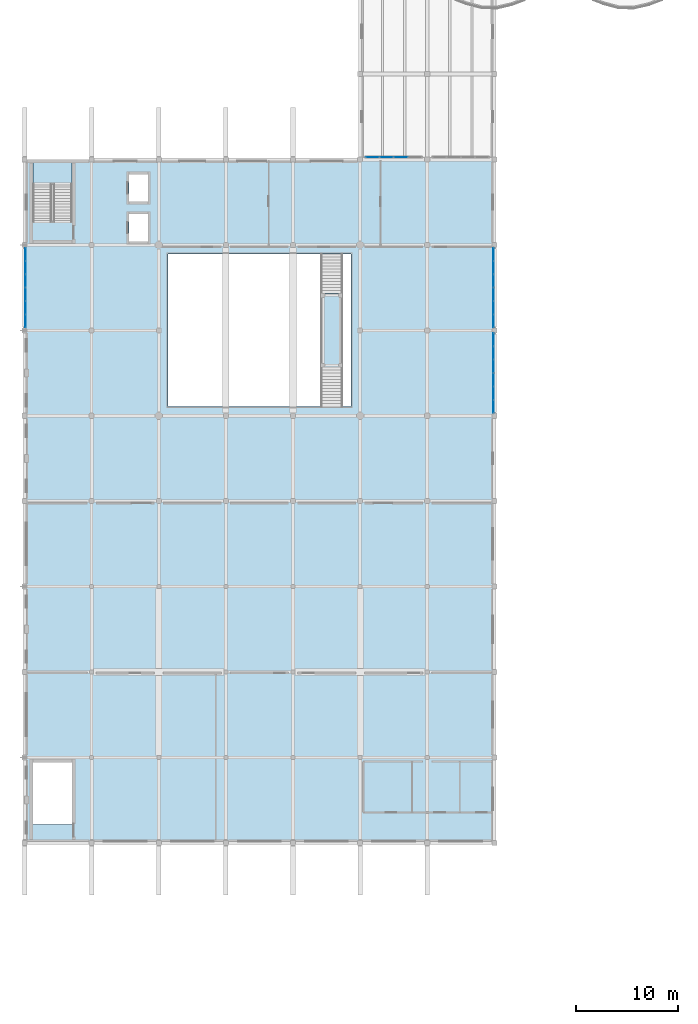
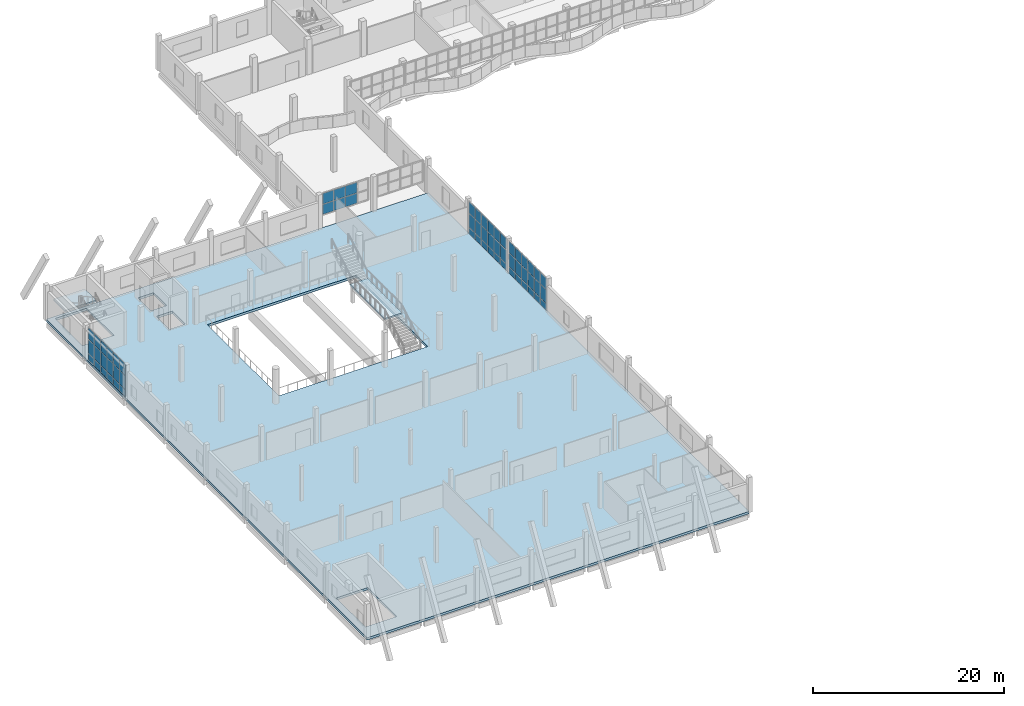
# One storey, part 32 of 76: 60 plates, 3 slabs, 6 elements without a shape of their own.
"""IFC4 building model written with IfcOpenShell, lengths in metres."""

from ifc_helpers import new_model, si_unit, direction, frame, origin, origin_2d, place, context, subcontext, project, spatial, polyline, rectangle, outline, extrude, material, layer, layer_set, type_object, element, aggregate, save


model = new_model("IFC4")

# Units and contexts
model_context = context("Model", 3, precision=1e-05, world=origin(), true_north=direction((0.0, 1.0)))
body_context = subcontext(model_context, "Body", "Model", "MODEL_VIEW")
ifc_project = project(units=[si_unit("LENGTHUNIT", "METRE"), si_unit("AREAUNIT", "SQUARE_METRE"), si_unit("VOLUMEUNIT", "CUBIC_METRE"), si_unit("PLANEANGLEUNIT", "RADIAN"), si_unit("MASSUNIT", "GRAM", prefix="KILO")], contexts=[model_context])

# Site, building, storey
site_placement = place(None, origin())
site = spatial("IfcSite", under=ifc_project, at=site_placement, CompositionType="ELEMENT")
building_placement = place(site_placement, origin())
building = spatial("IfcBuilding", under=site, at=building_placement, Name="Qaldarim Faculty of Natural and Applied Sciences", CompositionType="ELEMENT")
storey_placement = place(building_placement, frame((0.0, 0.0, 9.89990234375)))
storey = spatial("IfcBuildingStorey", under=building, at=storey_placement, Name="L02", CompositionType="ELEMENT", Elevation=9.89990234375)

# Slab
ifc_material_1 = material(Name="Concrete C40/50", Category="concrete")
ifc_layer_1 = layer(ifc_material_1, 0.300048828125)
ifc_layer_set_1 = layer_set([ifc_layer_1], Name="Concrete C40/50")
slab_type_1 = type_object("IfcSlabType", Name="PodiumFloorSlab-300", PredefinedType="FLOOR", material=ifc_layer_set_1)
slab_1_placement = place(storey_placement, frame((0.0, 0.0, -0.2998046875)))
element("IfcSlab", 1, at=slab_1_placement, inside=storey, type_object=slab_type_1, Name="Floor slab L02 WEST", PredefinedType="FLOOR", context=body_context, shape_type="SweptSolid", body=[
    extrude(outline(polyline([(0.0, 16.800048828125), (0.0, 84.0), (46.199951171875, 84.0), (46.199951171875, 16.800048828125), (0.0, 16.800048828125)]), holes=[polyline([(4.64990234375, 18.614990234375), (4.64990234375, 24.72509765625), (0.85009765625, 24.72509765625), (0.85009765625, 18.614990234375), (4.64990234375, 18.614990234375)]), polyline([(4.64990234375, 77.9150390625), (4.64990234375, 83.6201171875), (0.85009765625, 83.6201171875), (0.85009765625, 77.9150390625), (4.64990234375, 77.9150390625)]), polyline([(10.25, 75.949951171875), (12.14990234375, 75.949951171875), (12.14990234375, 78.64990234375), (10.25, 78.64990234375), (10.25, 75.949951171875)]), polyline([(10.25, 79.85009765625), (12.14990234375, 79.85009765625), (12.14990234375, 82.550048828125), (10.25, 82.550048828125), (10.25, 79.85009765625)]), polyline([(14.10009765625, 59.699951171875), (32.10009765625, 59.699951171875), (32.10009765625, 74.699951171875), (14.10009765625, 74.699951171875), (14.10009765625, 59.699951171875)])]), origin(), (0.0, 0.0, 1.0), 0.2998046875),
])

# Stair, slab
stair_type_1 = type_object("IfcStairType", Name="DoglegStair-W1800-H4500-28R", PredefinedType="HALF_TURN_STAIR", material=ifc_material_1)
stair_1_placement = place(storey_placement, origin())
stair_1 = element("IfcStair", 2, at=stair_1_placement, inside=storey, type_object=stair_type_1, Name="Enclosed exit stair ST-D2 L02", PredefinedType="HALF_TURN_STAIR")
ifc_layer_2 = layer(ifc_material_1, 0.2099609375)
ifc_layer_set_2 = layer_set([ifc_layer_2], Name="Concrete C40/50")
slab_type_2 = type_object("IfcSlabType", Name="StairLandingSlab-210", PredefinedType="LANDING", material=ifc_layer_set_2)
slab_2_placement = place(storey_placement, frame((0.0, 0.0, 2.0400390625)))
slab_2 = element("IfcSlab", 3, at=slab_2_placement, type_object=slab_type_2, Name="ST-D2 L02 half-landing 1", PredefinedType="LANDING", context=body_context, shape_type="SweptSolid", body=[
    extrude(outline(polyline([(4.64990234375, 81.590087890625), (4.64990234375, 84.0), (0.85009765625, 84.0), (0.85009765625, 81.590087890625), (4.64990234375, 81.590087890625)])), origin(), (0.0, 0.0, 1.0), 0.2099609375),
])
aggregate(stair_1, [slab_2])

stair_type_2 = type_object("IfcStairType", Name="FeatureStraightStair-W2100-H4500", PredefinedType="STRAIGHT_RUN_STAIR", material=ifc_material_1)
stair_2_placement = place(storey_placement, origin())
stair_2 = element("IfcStair", 4, at=stair_2_placement, inside=storey, type_object=stair_type_2, Name="Atrium monumental stair L02", PredefinedType="STRAIGHT_RUN_STAIR")
slab_3_placement = place(storey_placement, frame((0.0, 0.0, 2.0400390625)))
slab_3 = element("IfcSlab", 5, at=slab_3_placement, type_object=slab_type_2, Name="Atrium monumental stair L02 intermediate landing", PredefinedType="LANDING", context=body_context, shape_type="SweptSolid", body=[
    extrude(outline(polyline([(29.14990234375, 63.570068359375), (31.25, 63.570068359375), (31.25, 70.830078125), (29.14990234375, 70.830078125), (29.14990234375, 63.570068359375)])), origin(), (0.0, 0.0, 1.0), 0.2099609375),
])
aggregate(stair_2, [slab_3])

# Curtain wall, plates
ifc_material_2 = material(Name="Anodised aluminium AW-6063", Category="aluminium")
curtain_wall_type_1 = type_object("IfcCurtainWallType", Name="CurtainWallSystem-M1300", PredefinedType="USERDEFINED", material=ifc_material_2)
curtain_wall_1_placement = place(storey_placement, origin())
curtain_wall_1 = element("IfcCurtainWall", 6, at=curtain_wall_1_placement, inside=storey, type_object=curtain_wall_type_1, Name="Curtain wall CW-L02-W-X01Y09", ObjectType="STICK CURTAIN WALL", PredefinedType="USERDEFINED")
ifc_material_3 = material(Name="Insulated low-e double glazing", Category="glass")
ifc_layer_3 = layer(ifc_material_3, 0.028076171875)
ifc_layer_set_3 = layer_set([ifc_layer_3], Name="Insulated low-e double glazing")
plate_type = type_object("IfcPlateType", Name="VisionGlazingPanel-28", PredefinedType="CURTAIN_PANEL", material=ifc_layer_set_3)
plate_1_placement = place(storey_placement, frame((0.080078125, 74.680908203125, 0.06005859375), z_axis=(0.0, 0.0, 1.0), x_axis=(0.0, -1.0, 0.0)))
plate_1 = element("IfcPlate", 7, at=plate_1_placement, type_object=plate_type, Name="Glazed panel 1-1 of CW-L02-W-X01Y09", PredefinedType="CURTAIN_PANEL", context=body_context, shape_type="SweptSolid", body=[
    extrude(rectangle(XDim=1.228271484375, YDim=0.028076171875, at=origin_2d()), origin(), (0.0, 0.0, 1.0), 0.81005859375),
])
plate_2_placement = place(storey_placement, frame((0.080078125, 74.680908203125, 0.93017578125), z_axis=(0.0, 0.0, 1.0), x_axis=(0.0, -1.0, 0.0)))
plate_2 = element("IfcPlate", 8, at=plate_2_placement, type_object=plate_type, Name="Glazed panel 1-2 of CW-L02-W-X01Y09", PredefinedType="CURTAIN_PANEL", context=body_context, shape_type="SweptSolid", body=[
    extrude(rectangle(XDim=1.228271484375, YDim=0.028076171875, at=origin_2d()), origin(), (0.0, 0.0, 1.0), 1.739990234375),
])
plate_3_placement = place(storey_placement, frame((0.080078125, 74.680908203125, 2.72998046875), z_axis=(0.0, 0.0, 1.0), x_axis=(0.0, -1.0, 0.0)))
plate_3 = element("IfcPlate", 9, at=plate_3_placement, type_object=plate_type, Name="Glazed panel 1-3 of CW-L02-W-X01Y09", PredefinedType="CURTAIN_PANEL", context=body_context, shape_type="SweptSolid", body=[
    extrude(rectangle(XDim=1.228271484375, YDim=0.028076171875, at=origin_2d()), origin(), (0.0, 0.0, 1.0), 1.449951171875),
])
plate_4_placement = place(storey_placement, frame((0.080078125, 73.37744140625, 0.06005859375), z_axis=(0.0, 0.0, 1.0), x_axis=(0.0, -1.0, 0.0)))
plate_4 = element("IfcPlate", 10, at=plate_4_placement, type_object=plate_type, Name="Glazed panel 2-1 of CW-L02-W-X01Y09", PredefinedType="CURTAIN_PANEL", context=body_context, shape_type="SweptSolid", body=[
    extrude(rectangle(XDim=1.25830078125, YDim=0.028076171875, at=origin_2d()), origin(), (0.0, 0.0, 1.0), 0.81005859375),
])
plate_5_placement = place(storey_placement, frame((0.080078125, 73.37744140625, 0.93017578125), z_axis=(0.0, 0.0, 1.0), x_axis=(0.0, -1.0, 0.0)))
plate_5 = element("IfcPlate", 11, at=plate_5_placement, type_object=plate_type, Name="Glazed panel 2-2 of CW-L02-W-X01Y09", PredefinedType="CURTAIN_PANEL", context=body_context, shape_type="SweptSolid", body=[
    extrude(rectangle(XDim=1.25830078125, YDim=0.028076171875, at=origin_2d()), origin(), (0.0, 0.0, 1.0), 1.739990234375),
])
plate_6_placement = place(storey_placement, frame((0.080078125, 73.37744140625, 2.72998046875), z_axis=(0.0, 0.0, 1.0), x_axis=(0.0, -1.0, 0.0)))
plate_6 = element("IfcPlate", 12, at=plate_6_placement, type_object=plate_type, Name="Glazed panel 2-3 of CW-L02-W-X01Y09", PredefinedType="CURTAIN_PANEL", context=body_context, shape_type="SweptSolid", body=[
    extrude(rectangle(XDim=1.25830078125, YDim=0.028076171875, at=origin_2d()), origin(), (0.0, 0.0, 1.0), 1.449951171875),
])
plate_7_placement = place(storey_placement, frame((0.080078125, 72.05908203125, 0.06005859375), z_axis=(0.0, 0.0, 1.0), x_axis=(0.0, -1.0, 0.0)))
plate_7 = element("IfcPlate", 13, at=plate_7_placement, type_object=plate_type, Name="Glazed panel 3-1 of CW-L02-W-X01Y09", PredefinedType="CURTAIN_PANEL", context=body_context, shape_type="SweptSolid", body=[
    extrude(rectangle(XDim=1.25830078125, YDim=0.028076171875, at=origin_2d()), origin(), (0.0, 0.0, 1.0), 0.81005859375),
])
plate_8_placement = place(storey_placement, frame((0.080078125, 72.05908203125, 0.93017578125), z_axis=(0.0, 0.0, 1.0), x_axis=(0.0, -1.0, 0.0)))
plate_8 = element("IfcPlate", 14, at=plate_8_placement, type_object=plate_type, Name="Glazed panel 3-2 of CW-L02-W-X01Y09", PredefinedType="CURTAIN_PANEL", context=body_context, shape_type="SweptSolid", body=[
    extrude(rectangle(XDim=1.25830078125, YDim=0.028076171875, at=origin_2d()), origin(), (0.0, 0.0, 1.0), 1.739990234375),
])
plate_9_placement = place(storey_placement, frame((0.080078125, 72.05908203125, 2.72998046875), z_axis=(0.0, 0.0, 1.0), x_axis=(0.0, -1.0, 0.0)))
plate_9 = element("IfcPlate", 15, at=plate_9_placement, type_object=plate_type, Name="Glazed panel 3-3 of CW-L02-W-X01Y09", PredefinedType="CURTAIN_PANEL", context=body_context, shape_type="SweptSolid", body=[
    extrude(rectangle(XDim=1.25830078125, YDim=0.028076171875, at=origin_2d()), origin(), (0.0, 0.0, 1.0), 1.449951171875),
])
plate_10_placement = place(storey_placement, frame((0.080078125, 70.74072265625, 0.06005859375), z_axis=(0.0, 0.0, 1.0), x_axis=(0.0, -1.0, 0.0)))
plate_10 = element("IfcPlate", 16, at=plate_10_placement, type_object=plate_type, Name="Glazed panel 4-1 of CW-L02-W-X01Y09", PredefinedType="CURTAIN_PANEL", context=body_context, shape_type="SweptSolid", body=[
    extrude(rectangle(XDim=1.25830078125, YDim=0.028076171875, at=origin_2d()), origin(), (0.0, 0.0, 1.0), 0.81005859375),
])
plate_11_placement = place(storey_placement, frame((0.080078125, 70.74072265625, 0.93017578125), z_axis=(0.0, 0.0, 1.0), x_axis=(0.0, -1.0, 0.0)))
plate_11 = element("IfcPlate", 17, at=plate_11_placement, type_object=plate_type, Name="Glazed panel 4-2 of CW-L02-W-X01Y09", PredefinedType="CURTAIN_PANEL", context=body_context, shape_type="SweptSolid", body=[
    extrude(rectangle(XDim=1.25830078125, YDim=0.028076171875, at=origin_2d()), origin(), (0.0, 0.0, 1.0), 1.739990234375),
])
plate_12_placement = place(storey_placement, frame((0.080078125, 70.74072265625, 2.72998046875), z_axis=(0.0, 0.0, 1.0), x_axis=(0.0, -1.0, 0.0)))
plate_12 = element("IfcPlate", 18, at=plate_12_placement, type_object=plate_type, Name="Glazed panel 4-3 of CW-L02-W-X01Y09", PredefinedType="CURTAIN_PANEL", context=body_context, shape_type="SweptSolid", body=[
    extrude(rectangle(XDim=1.25830078125, YDim=0.028076171875, at=origin_2d()), origin(), (0.0, 0.0, 1.0), 1.449951171875),
])
plate_13_placement = place(storey_placement, frame((0.080078125, 69.422607421875, 0.06005859375), z_axis=(0.0, 0.0, 1.0), x_axis=(0.0, -1.0, 0.0)))
plate_13 = element("IfcPlate", 19, at=plate_13_placement, type_object=plate_type, Name="Glazed panel 5-1 of CW-L02-W-X01Y09", PredefinedType="CURTAIN_PANEL", context=body_context, shape_type="SweptSolid", body=[
    extrude(rectangle(XDim=1.25830078125, YDim=0.028076171875, at=origin_2d()), origin(), (0.0, 0.0, 1.0), 0.81005859375),
])
plate_14_placement = place(storey_placement, frame((0.080078125, 69.422607421875, 0.93017578125), z_axis=(0.0, 0.0, 1.0), x_axis=(0.0, -1.0, 0.0)))
plate_14 = element("IfcPlate", 20, at=plate_14_placement, type_object=plate_type, Name="Glazed panel 5-2 of CW-L02-W-X01Y09", PredefinedType="CURTAIN_PANEL", context=body_context, shape_type="SweptSolid", body=[
    extrude(rectangle(XDim=1.25830078125, YDim=0.028076171875, at=origin_2d()), origin(), (0.0, 0.0, 1.0), 1.739990234375),
])
plate_15_placement = place(storey_placement, frame((0.080078125, 69.422607421875, 2.72998046875), z_axis=(0.0, 0.0, 1.0), x_axis=(0.0, -1.0, 0.0)))
plate_15 = element("IfcPlate", 21, at=plate_15_placement, type_object=plate_type, Name="Glazed panel 5-3 of CW-L02-W-X01Y09", PredefinedType="CURTAIN_PANEL", context=body_context, shape_type="SweptSolid", body=[
    extrude(rectangle(XDim=1.25830078125, YDim=0.028076171875, at=origin_2d()), origin(), (0.0, 0.0, 1.0), 1.449951171875),
])
plate_16_placement = place(storey_placement, frame((0.080078125, 68.119140625, 0.06005859375), z_axis=(0.0, 0.0, 1.0), x_axis=(0.0, -1.0, 0.0)))
plate_16 = element("IfcPlate", 22, at=plate_16_placement, type_object=plate_type, Name="Glazed panel 6-1 of CW-L02-W-X01Y09", PredefinedType="CURTAIN_PANEL", context=body_context, shape_type="SweptSolid", body=[
    extrude(rectangle(XDim=1.228271484375, YDim=0.028076171875, at=origin_2d()), origin(), (0.0, 0.0, 1.0), 0.81005859375),
])
plate_17_placement = place(storey_placement, frame((0.080078125, 68.119140625, 0.93017578125), z_axis=(0.0, 0.0, 1.0), x_axis=(0.0, -1.0, 0.0)))
plate_17 = element("IfcPlate", 23, at=plate_17_placement, type_object=plate_type, Name="Glazed panel 6-2 of CW-L02-W-X01Y09", PredefinedType="CURTAIN_PANEL", context=body_context, shape_type="SweptSolid", body=[
    extrude(rectangle(XDim=1.228271484375, YDim=0.028076171875, at=origin_2d()), origin(), (0.0, 0.0, 1.0), 1.739990234375),
])
plate_18_placement = place(storey_placement, frame((0.080078125, 68.119140625, 2.72998046875), z_axis=(0.0, 0.0, 1.0), x_axis=(0.0, -1.0, 0.0)))
plate_18 = element("IfcPlate", 24, at=plate_18_placement, type_object=plate_type, Name="Glazed panel 6-3 of CW-L02-W-X01Y09", PredefinedType="CURTAIN_PANEL", context=body_context, shape_type="SweptSolid", body=[
    extrude(rectangle(XDim=1.228271484375, YDim=0.028076171875, at=origin_2d()), origin(), (0.0, 0.0, 1.0), 1.449951171875),
])
aggregate(curtain_wall_1, [plate_1, plate_2, plate_3, plate_4, plate_5, plate_6, plate_7, plate_8, plate_9, plate_10, plate_11, plate_12, plate_13, plate_14, plate_15, plate_16, plate_17, plate_18])

curtain_wall_2_placement = place(storey_placement, origin())
curtain_wall_2 = element("IfcCurtainWall", 25, at=curtain_wall_2_placement, inside=storey, type_object=curtain_wall_type_1, Name="Curtain wall CW-L02-E-X07Y08", ObjectType="STICK CURTAIN WALL", PredefinedType="USERDEFINED")
plate_19_placement = place(storey_placement, frame((46.1201171875, 59.71923828125, 0.06005859375), z_axis=(0.0, 0.0, 1.0), x_axis=(0.0, 1.0, 0.0)))
plate_19 = element("IfcPlate", 26, at=plate_19_placement, type_object=plate_type, Name="Glazed panel 1-1 of CW-L02-E-X07Y08", PredefinedType="CURTAIN_PANEL", context=body_context, shape_type="SweptSolid", body=[
    extrude(rectangle(XDim=1.228271484375, YDim=0.028076171875, at=origin_2d()), origin(), (0.0, 0.0, 1.0), 0.81005859375),
])
plate_20_placement = place(storey_placement, frame((46.1201171875, 59.71923828125, 0.93017578125), z_axis=(0.0, 0.0, 1.0), x_axis=(0.0, 1.0, 0.0)))
plate_20 = element("IfcPlate", 27, at=plate_20_placement, type_object=plate_type, Name="Glazed panel 1-2 of CW-L02-E-X07Y08", PredefinedType="CURTAIN_PANEL", context=body_context, shape_type="SweptSolid", body=[
    extrude(rectangle(XDim=1.228271484375, YDim=0.028076171875, at=origin_2d()), origin(), (0.0, 0.0, 1.0), 1.739990234375),
])
plate_21_placement = place(storey_placement, frame((46.1201171875, 59.71923828125, 2.72998046875), z_axis=(0.0, 0.0, 1.0), x_axis=(0.0, 1.0, 0.0)))
plate_21 = element("IfcPlate", 28, at=plate_21_placement, type_object=plate_type, Name="Glazed panel 1-3 of CW-L02-E-X07Y08", PredefinedType="CURTAIN_PANEL", context=body_context, shape_type="SweptSolid", body=[
    extrude(rectangle(XDim=1.228271484375, YDim=0.028076171875, at=origin_2d()), origin(), (0.0, 0.0, 1.0), 1.449951171875),
])
plate_22_placement = place(storey_placement, frame((46.1201171875, 61.0224609375, 0.06005859375), z_axis=(0.0, 0.0, 1.0), x_axis=(0.0, 1.0, 0.0)))
plate_22 = element("IfcPlate", 29, at=plate_22_placement, type_object=plate_type, Name="Glazed panel 2-1 of CW-L02-E-X07Y08", PredefinedType="CURTAIN_PANEL", context=body_context, shape_type="SweptSolid", body=[
    extrude(rectangle(XDim=1.25830078125, YDim=0.028076171875, at=origin_2d()), origin(), (0.0, 0.0, 1.0), 0.81005859375),
])
plate_23_placement = place(storey_placement, frame((46.1201171875, 61.0224609375, 0.93017578125), z_axis=(0.0, 0.0, 1.0), x_axis=(0.0, 1.0, 0.0)))
plate_23 = element("IfcPlate", 30, at=plate_23_placement, type_object=plate_type, Name="Glazed panel 2-2 of CW-L02-E-X07Y08", PredefinedType="CURTAIN_PANEL", context=body_context, shape_type="SweptSolid", body=[
    extrude(rectangle(XDim=1.25830078125, YDim=0.028076171875, at=origin_2d()), origin(), (0.0, 0.0, 1.0), 1.739990234375),
])
plate_24_placement = place(storey_placement, frame((46.1201171875, 61.0224609375, 2.72998046875), z_axis=(0.0, 0.0, 1.0), x_axis=(0.0, 1.0, 0.0)))
plate_24 = element("IfcPlate", 31, at=plate_24_placement, type_object=plate_type, Name="Glazed panel 2-3 of CW-L02-E-X07Y08", PredefinedType="CURTAIN_PANEL", context=body_context, shape_type="SweptSolid", body=[
    extrude(rectangle(XDim=1.25830078125, YDim=0.028076171875, at=origin_2d()), origin(), (0.0, 0.0, 1.0), 1.449951171875),
])
plate_25_placement = place(storey_placement, frame((46.1201171875, 62.3408203125, 0.06005859375), z_axis=(0.0, 0.0, 1.0), x_axis=(0.0, 1.0, 0.0)))
plate_25 = element("IfcPlate", 32, at=plate_25_placement, type_object=plate_type, Name="Glazed panel 3-1 of CW-L02-E-X07Y08", PredefinedType="CURTAIN_PANEL", context=body_context, shape_type="SweptSolid", body=[
    extrude(rectangle(XDim=1.25830078125, YDim=0.028076171875, at=origin_2d()), origin(), (0.0, 0.0, 1.0), 0.81005859375),
])
plate_26_placement = place(storey_placement, frame((46.1201171875, 62.3408203125, 0.93017578125), z_axis=(0.0, 0.0, 1.0), x_axis=(0.0, 1.0, 0.0)))
plate_26 = element("IfcPlate", 33, at=plate_26_placement, type_object=plate_type, Name="Glazed panel 3-2 of CW-L02-E-X07Y08", PredefinedType="CURTAIN_PANEL", context=body_context, shape_type="SweptSolid", body=[
    extrude(rectangle(XDim=1.25830078125, YDim=0.028076171875, at=origin_2d()), origin(), (0.0, 0.0, 1.0), 1.739990234375),
])
plate_27_placement = place(storey_placement, frame((46.1201171875, 62.3408203125, 2.72998046875), z_axis=(0.0, 0.0, 1.0), x_axis=(0.0, 1.0, 0.0)))
plate_27 = element("IfcPlate", 34, at=plate_27_placement, type_object=plate_type, Name="Glazed panel 3-3 of CW-L02-E-X07Y08", PredefinedType="CURTAIN_PANEL", context=body_context, shape_type="SweptSolid", body=[
    extrude(rectangle(XDim=1.25830078125, YDim=0.028076171875, at=origin_2d()), origin(), (0.0, 0.0, 1.0), 1.449951171875),
])
plate_28_placement = place(storey_placement, frame((46.1201171875, 63.6591796875, 0.06005859375), z_axis=(0.0, 0.0, 1.0), x_axis=(0.0, 1.0, 0.0)))
plate_28 = element("IfcPlate", 35, at=plate_28_placement, type_object=plate_type, Name="Glazed panel 4-1 of CW-L02-E-X07Y08", PredefinedType="CURTAIN_PANEL", context=body_context, shape_type="SweptSolid", body=[
    extrude(rectangle(XDim=1.25830078125, YDim=0.028076171875, at=origin_2d()), origin(), (0.0, 0.0, 1.0), 0.81005859375),
])
plate_29_placement = place(storey_placement, frame((46.1201171875, 63.6591796875, 0.93017578125), z_axis=(0.0, 0.0, 1.0), x_axis=(0.0, 1.0, 0.0)))
plate_29 = element("IfcPlate", 36, at=plate_29_placement, type_object=plate_type, Name="Glazed panel 4-2 of CW-L02-E-X07Y08", PredefinedType="CURTAIN_PANEL", context=body_context, shape_type="SweptSolid", body=[
    extrude(rectangle(XDim=1.25830078125, YDim=0.028076171875, at=origin_2d()), origin(), (0.0, 0.0, 1.0), 1.739990234375),
])
plate_30_placement = place(storey_placement, frame((46.1201171875, 63.6591796875, 2.72998046875), z_axis=(0.0, 0.0, 1.0), x_axis=(0.0, 1.0, 0.0)))
plate_30 = element("IfcPlate", 37, at=plate_30_placement, type_object=plate_type, Name="Glazed panel 4-3 of CW-L02-E-X07Y08", PredefinedType="CURTAIN_PANEL", context=body_context, shape_type="SweptSolid", body=[
    extrude(rectangle(XDim=1.25830078125, YDim=0.028076171875, at=origin_2d()), origin(), (0.0, 0.0, 1.0), 1.449951171875),
])
plate_31_placement = place(storey_placement, frame((46.1201171875, 64.9775390625, 0.06005859375), z_axis=(0.0, 0.0, 1.0), x_axis=(0.0, 1.0, 0.0)))
plate_31 = element("IfcPlate", 38, at=plate_31_placement, type_object=plate_type, Name="Glazed panel 5-1 of CW-L02-E-X07Y08", PredefinedType="CURTAIN_PANEL", context=body_context, shape_type="SweptSolid", body=[
    extrude(rectangle(XDim=1.25830078125, YDim=0.028076171875, at=origin_2d()), origin(), (0.0, 0.0, 1.0), 0.81005859375),
])
plate_32_placement = place(storey_placement, frame((46.1201171875, 64.9775390625, 0.93017578125), z_axis=(0.0, 0.0, 1.0), x_axis=(0.0, 1.0, 0.0)))
plate_32 = element("IfcPlate", 39, at=plate_32_placement, type_object=plate_type, Name="Glazed panel 5-2 of CW-L02-E-X07Y08", PredefinedType="CURTAIN_PANEL", context=body_context, shape_type="SweptSolid", body=[
    extrude(rectangle(XDim=1.25830078125, YDim=0.028076171875, at=origin_2d()), origin(), (0.0, 0.0, 1.0), 1.739990234375),
])
plate_33_placement = place(storey_placement, frame((46.1201171875, 64.9775390625, 2.72998046875), z_axis=(0.0, 0.0, 1.0), x_axis=(0.0, 1.0, 0.0)))
plate_33 = element("IfcPlate", 40, at=plate_33_placement, type_object=plate_type, Name="Glazed panel 5-3 of CW-L02-E-X07Y08", PredefinedType="CURTAIN_PANEL", context=body_context, shape_type="SweptSolid", body=[
    extrude(rectangle(XDim=1.25830078125, YDim=0.028076171875, at=origin_2d()), origin(), (0.0, 0.0, 1.0), 1.449951171875),
])
plate_34_placement = place(storey_placement, frame((46.1201171875, 66.28076171875, 0.06005859375), z_axis=(0.0, 0.0, 1.0), x_axis=(0.0, 1.0, 0.0)))
plate_34 = element("IfcPlate", 41, at=plate_34_placement, type_object=plate_type, Name="Glazed panel 6-1 of CW-L02-E-X07Y08", PredefinedType="CURTAIN_PANEL", context=body_context, shape_type="SweptSolid", body=[
    extrude(rectangle(XDim=1.228271484375, YDim=0.028076171875, at=origin_2d()), origin(), (0.0, 0.0, 1.0), 0.81005859375),
])
plate_35_placement = place(storey_placement, frame((46.1201171875, 66.28076171875, 0.93017578125), z_axis=(0.0, 0.0, 1.0), x_axis=(0.0, 1.0, 0.0)))
plate_35 = element("IfcPlate", 42, at=plate_35_placement, type_object=plate_type, Name="Glazed panel 6-2 of CW-L02-E-X07Y08", PredefinedType="CURTAIN_PANEL", context=body_context, shape_type="SweptSolid", body=[
    extrude(rectangle(XDim=1.228271484375, YDim=0.028076171875, at=origin_2d()), origin(), (0.0, 0.0, 1.0), 1.739990234375),
])
plate_36_placement = place(storey_placement, frame((46.1201171875, 66.28076171875, 2.72998046875), z_axis=(0.0, 0.0, 1.0), x_axis=(0.0, 1.0, 0.0)))
plate_36 = element("IfcPlate", 43, at=plate_36_placement, type_object=plate_type, Name="Glazed panel 6-3 of CW-L02-E-X07Y08", PredefinedType="CURTAIN_PANEL", context=body_context, shape_type="SweptSolid", body=[
    extrude(rectangle(XDim=1.228271484375, YDim=0.028076171875, at=origin_2d()), origin(), (0.0, 0.0, 1.0), 1.449951171875),
])
aggregate(curtain_wall_2, [plate_19, plate_20, plate_21, plate_22, plate_23, plate_24, plate_25, plate_26, plate_27, plate_28, plate_29, plate_30, plate_31, plate_32, plate_33, plate_34, plate_35, plate_36])

curtain_wall_3_placement = place(storey_placement, origin())
curtain_wall_3 = element("IfcCurtainWall", 44, at=curtain_wall_3_placement, inside=storey, type_object=curtain_wall_type_1, Name="Curtain wall CW-L02-E-X07Y09", ObjectType="STICK CURTAIN WALL", PredefinedType="USERDEFINED")
plate_37_placement = place(storey_placement, frame((46.1201171875, 68.119140625, 0.06005859375), z_axis=(0.0, 0.0, 1.0), x_axis=(0.0, 1.0, 0.0)))
plate_37 = element("IfcPlate", 45, at=plate_37_placement, type_object=plate_type, Name="Glazed panel 1-1 of CW-L02-E-X07Y09", PredefinedType="CURTAIN_PANEL", context=body_context, shape_type="SweptSolid", body=[
    extrude(rectangle(XDim=1.228271484375, YDim=0.028076171875, at=origin_2d()), origin(), (0.0, 0.0, 1.0), 0.81005859375),
])
plate_38_placement = place(storey_placement, frame((46.1201171875, 68.119140625, 0.93017578125), z_axis=(0.0, 0.0, 1.0), x_axis=(0.0, 1.0, 0.0)))
plate_38 = element("IfcPlate", 46, at=plate_38_placement, type_object=plate_type, Name="Glazed panel 1-2 of CW-L02-E-X07Y09", PredefinedType="CURTAIN_PANEL", context=body_context, shape_type="SweptSolid", body=[
    extrude(rectangle(XDim=1.228271484375, YDim=0.028076171875, at=origin_2d()), origin(), (0.0, 0.0, 1.0), 1.739990234375),
])
plate_39_placement = place(storey_placement, frame((46.1201171875, 68.119140625, 2.72998046875), z_axis=(0.0, 0.0, 1.0), x_axis=(0.0, 1.0, 0.0)))
plate_39 = element("IfcPlate", 47, at=plate_39_placement, type_object=plate_type, Name="Glazed panel 1-3 of CW-L02-E-X07Y09", PredefinedType="CURTAIN_PANEL", context=body_context, shape_type="SweptSolid", body=[
    extrude(rectangle(XDim=1.228271484375, YDim=0.028076171875, at=origin_2d()), origin(), (0.0, 0.0, 1.0), 1.449951171875),
])
plate_40_placement = place(storey_placement, frame((46.1201171875, 69.422607421875, 0.06005859375), z_axis=(0.0, 0.0, 1.0), x_axis=(0.0, 1.0, 0.0)))
plate_40 = element("IfcPlate", 48, at=plate_40_placement, type_object=plate_type, Name="Glazed panel 2-1 of CW-L02-E-X07Y09", PredefinedType="CURTAIN_PANEL", context=body_context, shape_type="SweptSolid", body=[
    extrude(rectangle(XDim=1.25830078125, YDim=0.028076171875, at=origin_2d()), origin(), (0.0, 0.0, 1.0), 0.81005859375),
])
plate_41_placement = place(storey_placement, frame((46.1201171875, 69.422607421875, 0.93017578125), z_axis=(0.0, 0.0, 1.0), x_axis=(0.0, 1.0, 0.0)))
plate_41 = element("IfcPlate", 49, at=plate_41_placement, type_object=plate_type, Name="Glazed panel 2-2 of CW-L02-E-X07Y09", PredefinedType="CURTAIN_PANEL", context=body_context, shape_type="SweptSolid", body=[
    extrude(rectangle(XDim=1.25830078125, YDim=0.028076171875, at=origin_2d()), origin(), (0.0, 0.0, 1.0), 1.739990234375),
])
plate_42_placement = place(storey_placement, frame((46.1201171875, 69.422607421875, 2.72998046875), z_axis=(0.0, 0.0, 1.0), x_axis=(0.0, 1.0, 0.0)))
plate_42 = element("IfcPlate", 50, at=plate_42_placement, type_object=plate_type, Name="Glazed panel 2-3 of CW-L02-E-X07Y09", PredefinedType="CURTAIN_PANEL", context=body_context, shape_type="SweptSolid", body=[
    extrude(rectangle(XDim=1.25830078125, YDim=0.028076171875, at=origin_2d()), origin(), (0.0, 0.0, 1.0), 1.449951171875),
])
plate_43_placement = place(storey_placement, frame((46.1201171875, 70.74072265625, 0.06005859375), z_axis=(0.0, 0.0, 1.0), x_axis=(0.0, 1.0, 0.0)))
plate_43 = element("IfcPlate", 51, at=plate_43_placement, type_object=plate_type, Name="Glazed panel 3-1 of CW-L02-E-X07Y09", PredefinedType="CURTAIN_PANEL", context=body_context, shape_type="SweptSolid", body=[
    extrude(rectangle(XDim=1.25830078125, YDim=0.028076171875, at=origin_2d()), origin(), (0.0, 0.0, 1.0), 0.81005859375),
])
plate_44_placement = place(storey_placement, frame((46.1201171875, 70.74072265625, 0.93017578125), z_axis=(0.0, 0.0, 1.0), x_axis=(0.0, 1.0, 0.0)))
plate_44 = element("IfcPlate", 52, at=plate_44_placement, type_object=plate_type, Name="Glazed panel 3-2 of CW-L02-E-X07Y09", PredefinedType="CURTAIN_PANEL", context=body_context, shape_type="SweptSolid", body=[
    extrude(rectangle(XDim=1.25830078125, YDim=0.028076171875, at=origin_2d()), origin(), (0.0, 0.0, 1.0), 1.739990234375),
])
plate_45_placement = place(storey_placement, frame((46.1201171875, 70.74072265625, 2.72998046875), z_axis=(0.0, 0.0, 1.0), x_axis=(0.0, 1.0, 0.0)))
plate_45 = element("IfcPlate", 53, at=plate_45_placement, type_object=plate_type, Name="Glazed panel 3-3 of CW-L02-E-X07Y09", PredefinedType="CURTAIN_PANEL", context=body_context, shape_type="SweptSolid", body=[
    extrude(rectangle(XDim=1.25830078125, YDim=0.028076171875, at=origin_2d()), origin(), (0.0, 0.0, 1.0), 1.449951171875),
])
plate_46_placement = place(storey_placement, frame((46.1201171875, 72.05908203125, 0.06005859375), z_axis=(0.0, 0.0, 1.0), x_axis=(0.0, 1.0, 0.0)))
plate_46 = element("IfcPlate", 54, at=plate_46_placement, type_object=plate_type, Name="Glazed panel 4-1 of CW-L02-E-X07Y09", PredefinedType="CURTAIN_PANEL", context=body_context, shape_type="SweptSolid", body=[
    extrude(rectangle(XDim=1.25830078125, YDim=0.028076171875, at=origin_2d()), origin(), (0.0, 0.0, 1.0), 0.81005859375),
])
plate_47_placement = place(storey_placement, frame((46.1201171875, 72.05908203125, 0.93017578125), z_axis=(0.0, 0.0, 1.0), x_axis=(0.0, 1.0, 0.0)))
plate_47 = element("IfcPlate", 55, at=plate_47_placement, type_object=plate_type, Name="Glazed panel 4-2 of CW-L02-E-X07Y09", PredefinedType="CURTAIN_PANEL", context=body_context, shape_type="SweptSolid", body=[
    extrude(rectangle(XDim=1.25830078125, YDim=0.028076171875, at=origin_2d()), origin(), (0.0, 0.0, 1.0), 1.739990234375),
])
plate_48_placement = place(storey_placement, frame((46.1201171875, 72.05908203125, 2.72998046875), z_axis=(0.0, 0.0, 1.0), x_axis=(0.0, 1.0, 0.0)))
plate_48 = element("IfcPlate", 56, at=plate_48_placement, type_object=plate_type, Name="Glazed panel 4-3 of CW-L02-E-X07Y09", PredefinedType="CURTAIN_PANEL", context=body_context, shape_type="SweptSolid", body=[
    extrude(rectangle(XDim=1.25830078125, YDim=0.028076171875, at=origin_2d()), origin(), (0.0, 0.0, 1.0), 1.449951171875),
])
plate_49_placement = place(storey_placement, frame((46.1201171875, 73.37744140625, 0.06005859375), z_axis=(0.0, 0.0, 1.0), x_axis=(0.0, 1.0, 0.0)))
plate_49 = element("IfcPlate", 57, at=plate_49_placement, type_object=plate_type, Name="Glazed panel 5-1 of CW-L02-E-X07Y09", PredefinedType="CURTAIN_PANEL", context=body_context, shape_type="SweptSolid", body=[
    extrude(rectangle(XDim=1.25830078125, YDim=0.028076171875, at=origin_2d()), origin(), (0.0, 0.0, 1.0), 0.81005859375),
])
plate_50_placement = place(storey_placement, frame((46.1201171875, 73.37744140625, 0.93017578125), z_axis=(0.0, 0.0, 1.0), x_axis=(0.0, 1.0, 0.0)))
plate_50 = element("IfcPlate", 58, at=plate_50_placement, type_object=plate_type, Name="Glazed panel 5-2 of CW-L02-E-X07Y09", PredefinedType="CURTAIN_PANEL", context=body_context, shape_type="SweptSolid", body=[
    extrude(rectangle(XDim=1.25830078125, YDim=0.028076171875, at=origin_2d()), origin(), (0.0, 0.0, 1.0), 1.739990234375),
])
plate_51_placement = place(storey_placement, frame((46.1201171875, 73.37744140625, 2.72998046875), z_axis=(0.0, 0.0, 1.0), x_axis=(0.0, 1.0, 0.0)))
plate_51 = element("IfcPlate", 59, at=plate_51_placement, type_object=plate_type, Name="Glazed panel 5-3 of CW-L02-E-X07Y09", PredefinedType="CURTAIN_PANEL", context=body_context, shape_type="SweptSolid", body=[
    extrude(rectangle(XDim=1.25830078125, YDim=0.028076171875, at=origin_2d()), origin(), (0.0, 0.0, 1.0), 1.449951171875),
])
plate_52_placement = place(storey_placement, frame((46.1201171875, 74.680908203125, 0.06005859375), z_axis=(0.0, 0.0, 1.0), x_axis=(0.0, 1.0, 0.0)))
plate_52 = element("IfcPlate", 60, at=plate_52_placement, type_object=plate_type, Name="Glazed panel 6-1 of CW-L02-E-X07Y09", PredefinedType="CURTAIN_PANEL", context=body_context, shape_type="SweptSolid", body=[
    extrude(rectangle(XDim=1.228271484375, YDim=0.028076171875, at=origin_2d()), origin(), (0.0, 0.0, 1.0), 0.81005859375),
])
plate_53_placement = place(storey_placement, frame((46.1201171875, 74.680908203125, 0.93017578125), z_axis=(0.0, 0.0, 1.0), x_axis=(0.0, 1.0, 0.0)))
plate_53 = element("IfcPlate", 61, at=plate_53_placement, type_object=plate_type, Name="Glazed panel 6-2 of CW-L02-E-X07Y09", PredefinedType="CURTAIN_PANEL", context=body_context, shape_type="SweptSolid", body=[
    extrude(rectangle(XDim=1.228271484375, YDim=0.028076171875, at=origin_2d()), origin(), (0.0, 0.0, 1.0), 1.739990234375),
])
plate_54_placement = place(storey_placement, frame((46.1201171875, 74.680908203125, 2.72998046875), z_axis=(0.0, 0.0, 1.0), x_axis=(0.0, 1.0, 0.0)))
plate_54 = element("IfcPlate", 62, at=plate_54_placement, type_object=plate_type, Name="Glazed panel 6-3 of CW-L02-E-X07Y09", PredefinedType="CURTAIN_PANEL", context=body_context, shape_type="SweptSolid", body=[
    extrude(rectangle(XDim=1.228271484375, YDim=0.028076171875, at=origin_2d()), origin(), (0.0, 0.0, 1.0), 1.449951171875),
])
aggregate(curtain_wall_3, [plate_37, plate_38, plate_39, plate_40, plate_41, plate_42, plate_43, plate_44, plate_45, plate_46, plate_47, plate_48, plate_49, plate_50, plate_51, plate_52, plate_53, plate_54])

curtain_wall_type_2 = type_object("IfcCurtainWallType", Name="CurtainWallSystem-M1400", PredefinedType="USERDEFINED", material=ifc_material_2)
curtain_wall_4_placement = place(storey_placement, origin())
curtain_wall_4 = element("IfcCurtainWall", 63, at=curtain_wall_4_placement, inside=storey, type_object=curtain_wall_type_2, Name="Curtain wall CW-V4RIB-L02-X06", ObjectType="STICK CURTAIN WALL", PredefinedType="USERDEFINED")
plate_55_placement = place(storey_placement, frame((34.215087890625, 84.219970703125, 1.51025390625), z_axis=(0.0, 0.0, 1.0), x_axis=(1.0, 0.0, 0.0)))
plate_55 = element("IfcPlate", 64, at=plate_55_placement, type_object=plate_type, Name="Glazed panel 1-1 of CW-V4RIB-L02-X06", PredefinedType="CURTAIN_PANEL", context=body_context, shape_type="SweptSolid", body=[
    extrude(rectangle(XDim=1.31005859375, YDim=0.028076171875, at=origin_2d()), origin(), (0.0, 0.0, 1.0), 1.260009765625),
])
plate_56_placement = place(storey_placement, frame((34.215087890625, 84.219970703125, 2.830078125), z_axis=(0.0, 0.0, 1.0), x_axis=(1.0, 0.0, 0.0)))
plate_56 = element("IfcPlate", 65, at=plate_56_placement, type_object=plate_type, Name="Glazed panel 1-2 of CW-V4RIB-L02-X06", PredefinedType="CURTAIN_PANEL", context=body_context, shape_type="SweptSolid", body=[
    extrude(rectangle(XDim=1.31005859375, YDim=0.028076171875, at=origin_2d()), origin(), (0.0, 0.0, 1.0), 1.35009765625),
])
plate_57_placement = place(storey_placement, frame((35.60009765625, 84.219970703125, 1.51025390625), z_axis=(0.0, 0.0, 1.0), x_axis=(1.0, 0.0, 0.0)))
plate_57 = element("IfcPlate", 66, at=plate_57_placement, type_object=plate_type, Name="Glazed panel 2-1 of CW-V4RIB-L02-X06", PredefinedType="CURTAIN_PANEL", context=body_context, shape_type="SweptSolid", body=[
    extrude(rectangle(XDim=1.340087890625, YDim=0.028076171875, at=origin_2d()), origin(), (0.0, 0.0, 1.0), 1.260009765625),
])
plate_58_placement = place(storey_placement, frame((35.60009765625, 84.219970703125, 2.830078125), z_axis=(0.0, 0.0, 1.0), x_axis=(1.0, 0.0, 0.0)))
plate_58 = element("IfcPlate", 67, at=plate_58_placement, type_object=plate_type, Name="Glazed panel 2-2 of CW-V4RIB-L02-X06", PredefinedType="CURTAIN_PANEL", context=body_context, shape_type="SweptSolid", body=[
    extrude(rectangle(XDim=1.340087890625, YDim=0.028076171875, at=origin_2d()), origin(), (0.0, 0.0, 1.0), 1.35009765625),
])
plate_59_placement = place(storey_placement, frame((37.0, 84.219970703125, 1.51025390625), z_axis=(0.0, 0.0, 1.0), x_axis=(1.0, 0.0, 0.0)))
plate_59 = element("IfcPlate", 68, at=plate_59_placement, type_object=plate_type, Name="Glazed panel 3-1 of CW-V4RIB-L02-X06", PredefinedType="CURTAIN_PANEL", context=body_context, shape_type="SweptSolid", body=[
    extrude(rectangle(XDim=1.340087890625, YDim=0.028076171875, at=origin_2d()), origin(), (0.0, 0.0, 1.0), 1.260009765625),
])
plate_60_placement = place(storey_placement, frame((37.0, 84.219970703125, 2.830078125), z_axis=(0.0, 0.0, 1.0), x_axis=(1.0, 0.0, 0.0)))
plate_60 = element("IfcPlate", 69, at=plate_60_placement, type_object=plate_type, Name="Glazed panel 3-2 of CW-V4RIB-L02-X06", PredefinedType="CURTAIN_PANEL", context=body_context, shape_type="SweptSolid", body=[
    extrude(rectangle(XDim=1.340087890625, YDim=0.028076171875, at=origin_2d()), origin(), (0.0, 0.0, 1.0), 1.35009765625),
])
aggregate(curtain_wall_4, [plate_55, plate_56, plate_57, plate_58, plate_59, plate_60])

save(model, "model.ifc")
